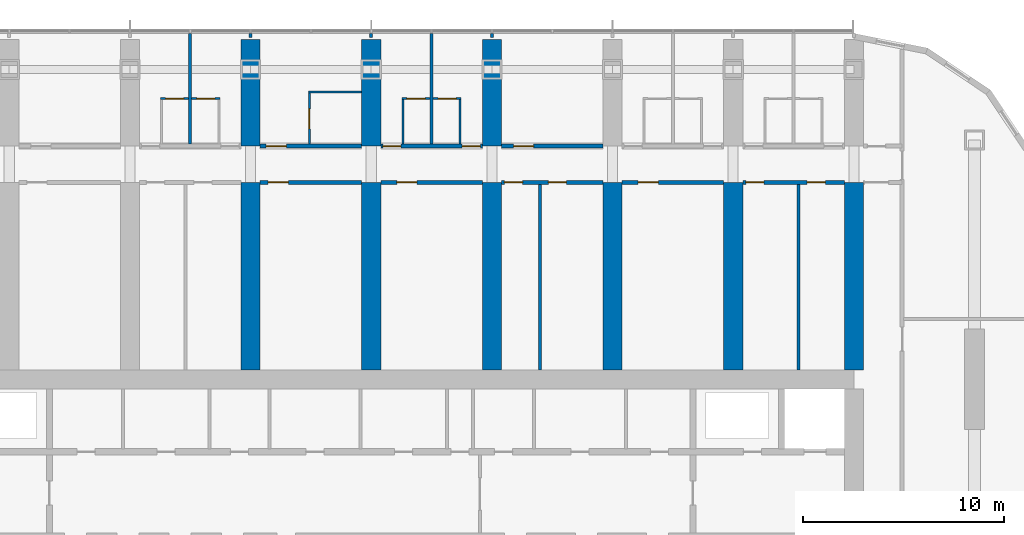
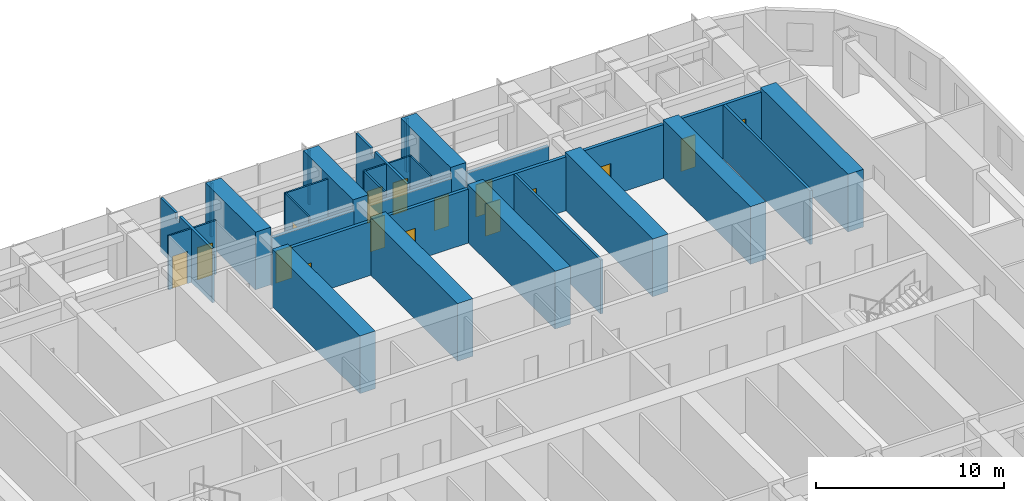
# One storey, part 16 of 25: 32 walls, 16 doors, 16 openings.
"""IFC4 building model written with IfcOpenShell, lengths in metres."""

from ifc_helpers import new_model, si_unit, direction, frame, frame_2d, origin, place, context, subcontext, project, spatial, polyline, rectangle, outline, extrude, material, layer, layer_set, type_object, element, fill, save


model = new_model("IFC4")

# Units and contexts
model_context = context("Model", 3, precision=1e-05, world=origin(), true_north=direction((0.0, 1.0)))
body_context = subcontext(model_context, "Body", "Model", "MODEL_VIEW")
ifc_project = project(units=[si_unit("LENGTHUNIT", "METRE"), si_unit("AREAUNIT", "SQUARE_METRE"), si_unit("VOLUMEUNIT", "CUBIC_METRE"), si_unit("PLANEANGLEUNIT", "RADIAN"), si_unit("MASSUNIT", "GRAM", prefix="KILO")], contexts=[model_context])

# Site, building, storey
site_placement = place(None, origin())
site = spatial("IfcSite", under=ifc_project, at=site_placement, CompositionType="ELEMENT")
building_placement = place(site_placement, origin())
building = spatial("IfcBuilding", under=site, at=building_placement, Name="Orbita Commons", CompositionType="ELEMENT")
storey_placement = place(building_placement, frame((0.0, 0.0, 99.39990234375)))
storey = spatial("IfcBuildingStorey", under=building, at=storey_placement, Name="L24", CompositionType="ELEMENT", Elevation=99.39990234375)

# Wall, opening, door
ifc_material_1 = material(Name="Concrete blockwork", Category="masonry")
ifc_layer_1 = layer(ifc_material_1, 0.199951171875)
ifc_layer_set_1 = layer_set([ifc_layer_1], Name="Concrete blockwork")
wall_type_1 = type_object("IfcWallType", Name="Corridor wall 200 blockwork", PredefinedType="SOLIDWALL", material=ifc_layer_set_1)
wall_1_placement = place(storey_placement, frame((36.47509765625, 49.800048828125, 0.0), z_axis=(0.0, 0.0, 1.0), x_axis=(1.0, 0.0, 0.0)))
wall_1 = element("IfcWall", 1, at=wall_1_placement, inside=storey, type_object=wall_type_1, Name="Corridor wall 200 blockwork L24", PredefinedType="SOLIDWALL", context=body_context, shape_type="SweptSolid", body=[
    extrude(outline(polyline([(0.0, 0.0), (5.0498046875, 0.0), (5.050048828125, 3.10009765625), (0.0, 3.10009765625), (0.0, 0.0)])), frame((0.0, 0.10009765625, 0.0), z_axis=(0.0, -1.0, 0.0), x_axis=(1.0, 0.0, 0.0)), (0.0, 0.0, 1.0), 0.199951171875),
])
opening_1_placement = place(wall_1_placement, frame((0.300048828125, 0.0, 0.0)))
opening_1 = element("IfcOpeningElement", 2, at=opening_1_placement, cuts=wall_1, Name="Opening D06", PredefinedType="OPENING", context=body_context, shape_type="SweptSolid", body=[
    extrude(rectangle(XDim=1.0, YDim=2.10009765625, at=frame_2d((0.5, 1.050048828125))), frame((0.0, 0.10986328125, 0.0), z_axis=(0.0, -1.0, 0.0), x_axis=(1.0, 0.0, 0.0)), (0.0, 0.0, 1.0), 0.219970703125),
])
ifc_material_2 = material(Name="Steel-faced fire door leaf", Category="steel")
door_type_1 = type_object("IfcDoorType", Name="Corridor door 20 min 1000x2100", OperationType="SINGLE_SWING_LEFT", PredefinedType="DOOR", material=ifc_material_2)
door_1_placement = place(opening_1_placement, origin())
door_1 = element("IfcDoor", 3, at=door_1_placement, inside=storey, type_object=door_type_1, Name="Accessible bedroom L24-N08 door", OperationType="SINGLE_SWING_LEFT", OverallHeight=2.10009765625, OverallWidth=1.0, PredefinedType="DOOR", context=body_context, shape_type="SweptSolid", body=[
    extrude(rectangle(XDim=1.0, YDim=2.10009765625, at=frame_2d((0.5, 1.050048828125))), frame((0.0, 0.02490234375, 0.0), z_axis=(0.0, -1.0, 0.0), x_axis=(1.0, 0.0, 0.0)), (0.0, 0.0, 1.0), 0.050048828125),
])
fill(opening_1, door_1)

# Wall, openings, doors
wall_2_placement = place(storey_placement, frame((42.47509765625, 49.800048828125, 0.0), z_axis=(0.0, 0.0, 1.0), x_axis=(1.0, 0.0, 0.0)))
wall_2 = element("IfcWall", 4, at=wall_2_placement, inside=storey, type_object=wall_type_1, Name="Corridor wall 200 blockwork L24", PredefinedType="SOLIDWALL", context=body_context, shape_type="SweptSolid", body=[
    extrude(outline(polyline([(0.0, 0.0), (5.0498046875, 0.0), (5.050048828125, 3.10009765625), (0.0, 3.10009765625), (0.0, 0.0)])), frame((0.0, 0.10009765625, 0.0), z_axis=(0.0, -1.0, 0.0), x_axis=(1.0, 0.0, 0.0)), (0.0, 0.0, 1.0), 0.199951171875),
])
opening_2_placement = place(wall_2_placement, frame((0.10009765625, 0.0, 0.0)))
opening_2 = element("IfcOpeningElement", 5, at=opening_2_placement, cuts=wall_2, Name="Opening D11", PredefinedType="OPENING", context=body_context, shape_type="SweptSolid", body=[
    extrude(rectangle(XDim=0.89990234375, YDim=2.10009765625, at=frame_2d((0.449951171875, 1.050048828125))), frame((0.0, 0.10986328125, 0.0), z_axis=(0.0, -1.0, 0.0), x_axis=(1.0, 0.0, 0.0)), (0.0, 0.0, 1.0), 0.219970703125),
])
opening_3_placement = place(wall_2_placement, frame((4.050048828125, 0.0, 0.0)))
opening_3 = element("IfcOpeningElement", 6, at=opening_3_placement, cuts=wall_2, Name="Opening D11", PredefinedType="OPENING", context=body_context, shape_type="SweptSolid", body=[
    extrude(rectangle(XDim=0.89990234375, YDim=2.10009765625, at=frame_2d((0.449951171875, 1.050048828125))), frame((0.0, 0.10986328125, 0.0), z_axis=(0.0, -1.0, 0.0), x_axis=(1.0, 0.0, 0.0)), (0.0, 0.0, 1.0), 0.219970703125),
])
ifc_material_3 = material(Name="Steel-faced fire door leaf", Category="steel")
door_type_2 = type_object("IfcDoorType", Name="Corridor door 20 min 900x2100", OperationType="SINGLE_SWING_LEFT", PredefinedType="DOOR", material=ifc_material_3)
door_2_placement = place(opening_2_placement, origin())
door_2 = element("IfcDoor", 7, at=door_2_placement, inside=storey, type_object=door_type_2, Name="Cluster bedroom L24-N10 door", OperationType="SINGLE_SWING_LEFT", OverallHeight=2.10009765625, OverallWidth=0.89990234375, PredefinedType="DOOR", context=body_context, shape_type="SweptSolid", body=[
    extrude(rectangle(XDim=0.89990234375, YDim=2.10009765625, at=frame_2d((0.449951171875, 1.050048828125))), frame((0.0, 0.02490234375, 0.0), z_axis=(0.0, -1.0, 0.0), x_axis=(1.0, 0.0, 0.0)), (0.0, 0.0, 1.0), 0.050048828125),
])
fill(opening_2, door_2)
door_3_placement = place(opening_3_placement, origin())
door_3 = element("IfcDoor", 8, at=door_3_placement, inside=storey, type_object=door_type_2, Name="Cluster bedroom L24-N11 door", OperationType="SINGLE_SWING_LEFT", OverallHeight=2.10009765625, OverallWidth=0.89990234375, PredefinedType="DOOR", context=body_context, shape_type="SweptSolid", body=[
    extrude(rectangle(XDim=0.89990234375, YDim=2.10009765625, at=frame_2d((0.449951171875, 1.050048828125))), frame((0.0, 0.02490234375, 0.0), z_axis=(0.0, -1.0, 0.0), x_axis=(1.0, 0.0, 0.0)), (0.0, 0.0, 1.0), 0.050048828125),
])
fill(opening_3, door_3)

# Wall, opening, door
wall_3_placement = place(storey_placement, frame((48.47509765625, 49.800048828125, 0.0), z_axis=(0.0, 0.0, 1.0), x_axis=(1.0, 0.0, 0.0)))
wall_3 = element("IfcWall", 9, at=wall_3_placement, inside=storey, type_object=wall_type_1, Name="Corridor wall 200 blockwork L24", PredefinedType="SOLIDWALL", context=body_context, shape_type="SweptSolid", body=[
    extrude(outline(polyline([(0.0, 0.0), (5.0498046875, 0.0), (5.050048828125, 3.10009765625), (0.0, 3.10009765625), (0.0, 0.0)])), frame((0.0, 0.10009765625, 0.0), z_axis=(0.0, -1.0, 0.0), x_axis=(1.0, 0.0, 0.0)), (0.0, 0.0, 1.0), 0.199951171875),
])
opening_4_placement = place(wall_3_placement, frame((0.60009765625, 0.0, 0.0)))
opening_4 = element("IfcOpeningElement", 10, at=opening_4_placement, cuts=wall_3, Name="Opening D06", PredefinedType="OPENING", context=body_context, shape_type="SweptSolid", body=[
    extrude(rectangle(XDim=1.0, YDim=2.10009765625, at=frame_2d((0.5, 1.050048828125))), frame((0.0, 0.10986328125, 0.0), z_axis=(0.0, -1.0, 0.0), x_axis=(1.0, 0.0, 0.0)), (0.0, 0.0, 1.0), 0.219970703125),
])
door_4_placement = place(opening_4_placement, origin())
door_4 = element("IfcDoor", 11, at=door_4_placement, inside=storey, type_object=door_type_1, Name="Cluster kitchen-diner L24-N12 door", OperationType="SINGLE_SWING_LEFT", OverallHeight=2.10009765625, OverallWidth=1.0, PredefinedType="DOOR", context=body_context, shape_type="SweptSolid", body=[
    extrude(rectangle(XDim=1.0, YDim=2.10009765625, at=frame_2d((0.5, 1.050048828125))), frame((0.0, 0.02490234375, 0.0), z_axis=(0.0, -1.0, 0.0), x_axis=(1.0, 0.0, 0.0)), (0.0, 0.0, 1.0), 0.050048828125),
])
fill(opening_4, door_4)

ifc_material_4 = material(Name="Hollow concrete block 200", Category="concrete")
ifc_layer_2 = layer(ifc_material_4, 0.199951171875)
ifc_layer_set_2 = layer_set([ifc_layer_2], Name="Hollow concrete block 200")
wall_type_2 = type_object("IfcWallType", Name="Corridor wall 200 hollow concrete block", PredefinedType="SOLIDWALL", material=ifc_layer_set_2)
wall_4_placement = place(storey_placement, frame((36.47509765625, 48.0, 0.0), z_axis=(0.0, 0.0, 1.0), x_axis=(1.0, 0.0, 0.0)))
wall_4 = element("IfcWall", 12, at=wall_4_placement, inside=storey, type_object=wall_type_2, Name="Corridor wall 200 hollow concrete block L24", PredefinedType="SOLIDWALL", context=body_context, shape_type="SweptSolid", body=[
    extrude(rectangle(XDim=5.0498046875, YDim=0.199951171875, at=frame_2d((2.52490234375, 0.0))), origin(), (0.0, 0.0, 1.0), 3.5),
])
opening_5_placement = place(wall_4_placement, frame((0.39990234375, 0.0, 0.0)))
opening_5 = element("IfcOpeningElement", 13, at=opening_5_placement, cuts=wall_4, Name="Opening D06", PredefinedType="OPENING", context=body_context, shape_type="SweptSolid", body=[
    extrude(rectangle(XDim=1.0, YDim=2.10009765625, at=frame_2d((0.5, 1.050048828125))), frame((0.0, 0.10986328125, 0.0), z_axis=(0.0, -1.0, 0.0), x_axis=(1.0, 0.0, 0.0)), (0.0, 0.0, 1.0), 0.219970703125),
])
door_5_placement = place(opening_5_placement, origin())
door_5 = element("IfcDoor", 14, at=door_5_placement, inside=storey, type_object=door_type_1, Name="Refuse and recycling room L24-BDN36 door", OperationType="SINGLE_SWING_LEFT", OverallHeight=2.10009765625, OverallWidth=1.0, PredefinedType="DOOR", context=body_context, shape_type="SweptSolid", body=[
    extrude(rectangle(XDim=1.0, YDim=2.10009765625, at=frame_2d((0.5, 1.050048828125))), frame((0.0, 0.02490234375, 0.0), z_axis=(0.0, -1.0, 0.0), x_axis=(1.0, 0.0, 0.0)), (0.0, 0.0, 1.0), 0.050048828125),
])
fill(opening_5, door_5)

wall_5_placement = place(storey_placement, frame((42.47509765625, 48.0, 0.0), z_axis=(0.0, 0.0, 1.0), x_axis=(1.0, 0.0, 0.0)))
wall_5 = element("IfcWall", 15, at=wall_5_placement, inside=storey, type_object=wall_type_2, Name="Corridor wall 200 hollow concrete block L24", PredefinedType="SOLIDWALL", context=body_context, shape_type="SweptSolid", body=[
    extrude(rectangle(XDim=5.0498046875, YDim=0.199951171875, at=frame_2d((2.52490234375, 0.0))), origin(), (0.0, 0.0, 1.0), 3.5),
])
opening_6_placement = place(wall_5_placement, frame((0.800048828125, 0.0, 0.0)))
opening_6 = element("IfcOpeningElement", 16, at=opening_6_placement, cuts=wall_5, Name="Opening D06", PredefinedType="OPENING", context=body_context, shape_type="SweptSolid", body=[
    extrude(rectangle(XDim=1.0, YDim=2.10009765625, at=frame_2d((0.5, 1.050048828125))), frame((0.0, 0.10986328125, 0.0), z_axis=(0.0, -1.0, 0.0), x_axis=(1.0, 0.0, 0.0)), (0.0, 0.0, 1.0), 0.219970703125),
])
door_6_placement = place(opening_6_placement, origin())
door_6 = element("IfcDoor", 17, at=door_6_placement, inside=storey, type_object=door_type_1, Name="Cleaners store L24-BDN42 door", OperationType="SINGLE_SWING_LEFT", OverallHeight=2.10009765625, OverallWidth=1.0, PredefinedType="DOOR", context=body_context, shape_type="SweptSolid", body=[
    extrude(rectangle(XDim=1.0, YDim=2.10009765625, at=frame_2d((0.5, 1.050048828125))), frame((0.0, 0.02490234375, 0.0), z_axis=(0.0, -1.0, 0.0), x_axis=(1.0, 0.0, 0.0)), (0.0, 0.0, 1.0), 0.050048828125),
])
fill(opening_6, door_6)

# Wall, openings, doors
wall_6_placement = place(storey_placement, frame((48.47509765625, 48.0, 0.0), z_axis=(0.0, 0.0, 1.0), x_axis=(1.0, 0.0, 0.0)))
wall_6 = element("IfcWall", 18, at=wall_6_placement, inside=storey, type_object=wall_type_2, Name="Corridor wall 200 hollow concrete block L24", PredefinedType="SOLIDWALL", context=body_context, shape_type="SweptSolid", body=[
    extrude(rectangle(XDim=5.0498046875, YDim=0.199951171875, at=frame_2d((2.52490234375, 0.0))), origin(), (0.0, 0.0, 1.0), 3.5),
])
opening_7_placement = place(wall_6_placement, frame((0.14990234375, 0.0, 0.0)))
opening_7 = element("IfcOpeningElement", 19, at=opening_7_placement, cuts=wall_6, Name="Opening D11", PredefinedType="OPENING", context=body_context, shape_type="SweptSolid", body=[
    extrude(rectangle(XDim=0.89990234375, YDim=2.10009765625, at=frame_2d((0.449951171875, 1.050048828125))), frame((0.0, 0.10986328125, 0.0), z_axis=(0.0, -1.0, 0.0), x_axis=(1.0, 0.0, 0.0)), (0.0, 0.0, 1.0), 0.219970703125),
])
opening_8_placement = place(wall_6_placement, frame((2.3349609375, 0.0, 0.0)))
opening_8 = element("IfcOpeningElement", 20, at=opening_8_placement, cuts=wall_6, Name="Opening D11", PredefinedType="OPENING", context=body_context, shape_type="SweptSolid", body=[
    extrude(rectangle(XDim=0.89990234375, YDim=2.10009765625, at=frame_2d((0.449951171875, 1.050048828125))), frame((0.0, 0.10986328125, 0.0), z_axis=(0.0, -1.0, 0.0), x_axis=(1.0, 0.0, 0.0)), (0.0, 0.0, 1.0), 0.219970703125),
])
door_7_placement = place(opening_7_placement, origin())
door_7 = element("IfcDoor", 21, at=door_7_placement, inside=storey, type_object=door_type_2, Name="Battery and UPS room L24-BDN48n door", OperationType="SINGLE_SWING_LEFT", OverallHeight=2.10009765625, OverallWidth=0.89990234375, PredefinedType="DOOR", context=body_context, shape_type="SweptSolid", body=[
    extrude(rectangle(XDim=0.89990234375, YDim=2.10009765625, at=frame_2d((0.449951171875, 1.050048828125))), frame((0.0, 0.02490234375, 0.0), z_axis=(0.0, -1.0, 0.0), x_axis=(1.0, 0.0, 0.0)), (0.0, 0.0, 1.0), 0.050048828125),
])
fill(opening_7, door_7)
door_8_placement = place(opening_8_placement, origin())
door_8 = element("IfcDoor", 22, at=door_8_placement, inside=storey, type_object=door_type_2, Name="Linen store L24-BDN48 door", OperationType="SINGLE_SWING_LEFT", OverallHeight=2.10009765625, OverallWidth=0.89990234375, PredefinedType="DOOR", context=body_context, shape_type="SweptSolid", body=[
    extrude(rectangle(XDim=0.89990234375, YDim=2.10009765625, at=frame_2d((0.449951171875, 1.050048828125))), frame((0.0, 0.02490234375, 0.0), z_axis=(0.0, -1.0, 0.0), x_axis=(1.0, 0.0, 0.0)), (0.0, 0.0, 1.0), 0.050048828125),
])
fill(opening_8, door_8)

# Wall, opening, door
wall_7_placement = place(storey_placement, frame((54.47509765625, 48.0, 0.0), z_axis=(0.0, 0.0, 1.0), x_axis=(1.0, 0.0, 0.0)))
wall_7 = element("IfcWall", 23, at=wall_7_placement, inside=storey, type_object=wall_type_2, Name="Corridor wall 200 hollow concrete block L24", PredefinedType="SOLIDWALL", context=body_context, shape_type="SweptSolid", body=[
    extrude(rectangle(XDim=5.0498046875, YDim=0.199951171875, at=frame_2d((2.52490234375, 0.0))), origin(), (0.0, 0.0, 1.0), 3.5),
])
opening_9_placement = place(wall_7_placement, frame((0.800048828125, 0.0, 0.0)))
opening_9 = element("IfcOpeningElement", 24, at=opening_9_placement, cuts=wall_7, Name="Opening D06", PredefinedType="OPENING", context=body_context, shape_type="SweptSolid", body=[
    extrude(rectangle(XDim=1.0, YDim=2.10009765625, at=frame_2d((0.5, 1.050048828125))), frame((0.0, 0.10986328125, 0.0), z_axis=(0.0, -1.0, 0.0), x_axis=(1.0, 0.0, 0.0)), (0.0, 0.0, 1.0), 0.219970703125),
])
door_9_placement = place(opening_9_placement, origin())
door_9 = element("IfcDoor", 25, at=door_9_placement, inside=storey, type_object=door_type_1, Name="Store L24-BDN54 door", OperationType="SINGLE_SWING_LEFT", OverallHeight=2.10009765625, OverallWidth=1.0, PredefinedType="DOOR", context=body_context, shape_type="SweptSolid", body=[
    extrude(rectangle(XDim=1.0, YDim=2.10009765625, at=frame_2d((0.5, 1.050048828125))), frame((0.0, 0.02490234375, 0.0), z_axis=(0.0, -1.0, 0.0), x_axis=(1.0, 0.0, 0.0)), (0.0, 0.0, 1.0), 0.050048828125),
])
fill(opening_9, door_9)

# Wall, openings, doors
wall_8_placement = place(storey_placement, frame((60.47509765625, 48.0, 0.0), z_axis=(0.0, 0.0, 1.0), x_axis=(1.0, 0.0, 0.0)))
wall_8 = element("IfcWall", 26, at=wall_8_placement, inside=storey, type_object=wall_type_2, Name="Corridor wall 200 hollow concrete block L24", PredefinedType="SOLIDWALL", context=body_context, shape_type="SweptSolid", body=[
    extrude(rectangle(XDim=5.0498046875, YDim=0.199951171875, at=frame_2d((2.52490234375, 0.0))), origin(), (0.0, 0.0, 1.0), 3.5),
])
opening_10_placement = place(wall_8_placement, frame((0.14990234375, 0.0, 0.0)))
opening_10 = element("IfcOpeningElement", 27, at=opening_10_placement, cuts=wall_8, Name="Opening D11", PredefinedType="OPENING", context=body_context, shape_type="SweptSolid", body=[
    extrude(rectangle(XDim=0.89990234375, YDim=2.10009765625, at=frame_2d((0.449951171875, 1.050048828125))), frame((0.0, 0.10986328125, 0.0), z_axis=(0.0, -1.0, 0.0), x_axis=(1.0, 0.0, 0.0)), (0.0, 0.0, 1.0), 0.219970703125),
])
opening_11_placement = place(wall_8_placement, frame((3.205078125, 0.0, 0.0)))
opening_11 = element("IfcOpeningElement", 28, at=opening_11_placement, cuts=wall_8, Name="Opening D11", PredefinedType="OPENING", context=body_context, shape_type="SweptSolid", body=[
    extrude(rectangle(XDim=0.89990234375, YDim=2.10009765625, at=frame_2d((0.449951171875, 1.050048828125))), frame((0.0, 0.10986328125, 0.0), z_axis=(0.0, -1.0, 0.0), x_axis=(1.0, 0.0, 0.0)), (0.0, 0.0, 1.0), 0.219970703125),
])
door_10_placement = place(opening_10_placement, origin())
door_10 = element("IfcDoor", 29, at=door_10_placement, inside=storey, type_object=door_type_2, Name="Pantry L24-BDN60 door", OperationType="SINGLE_SWING_LEFT", OverallHeight=2.10009765625, OverallWidth=0.89990234375, PredefinedType="DOOR", context=body_context, shape_type="SweptSolid", body=[
    extrude(rectangle(XDim=0.89990234375, YDim=2.10009765625, at=frame_2d((0.449951171875, 1.050048828125))), frame((0.0, 0.02490234375, 0.0), z_axis=(0.0, -1.0, 0.0), x_axis=(1.0, 0.0, 0.0)), (0.0, 0.0, 1.0), 0.050048828125),
])
fill(opening_10, door_10)
door_11_placement = place(opening_11_placement, origin())
door_11 = element("IfcDoor", 30, at=door_11_placement, inside=storey, type_object=door_type_2, Name="Sprinkler valve room L24-BDN60n door", OperationType="SINGLE_SWING_LEFT", OverallHeight=2.10009765625, OverallWidth=0.89990234375, PredefinedType="DOOR", context=body_context, shape_type="SweptSolid", body=[
    extrude(rectangle(XDim=0.89990234375, YDim=2.10009765625, at=frame_2d((0.449951171875, 1.050048828125))), frame((0.0, 0.02490234375, 0.0), z_axis=(0.0, -1.0, 0.0), x_axis=(1.0, 0.0, 0.0)), (0.0, 0.0, 1.0), 0.050048828125),
])
fill(opening_11, door_11)

# Walls
ifc_material_5 = material(Name="Concrete C50/60", Category="concrete")
ifc_layer_3 = layer(ifc_material_5, 0.949951171875)
ifc_layer_set_3 = layer_set([ifc_layer_3], Name="Concrete C50/60")
wall_type_3 = type_object("IfcWallType", Name="Cross wall 950 C50/60", PredefinedType="SHEAR", material=ifc_layer_set_3)
wall_9_placement = place(storey_placement, frame((36.0, 49.800048828125, 0.0), z_axis=(0.0, 0.0, 1.0), x_axis=(0.0, 1.0, 0.0)))
element("IfcWall", 31, at=wall_9_placement, inside=storey, type_object=wall_type_3, Name="Cross wall 7 north outer L24", PredefinedType="SHEAR", context=body_context, shape_type="SweptSolid", body=[
    extrude(rectangle(XDim=5.300048828125, YDim=0.949951171875, at=frame_2d((2.64990234375, 0.0))), origin(), (0.0, 0.0, 1.0), 3.75),
])
wall_10_placement = place(storey_placement, frame((36.0, 38.675048828125, 0.0), z_axis=(0.0, 0.0, 1.0), x_axis=(0.0, 1.0, 0.0)))
element("IfcWall", 32, at=wall_10_placement, inside=storey, type_object=wall_type_3, Name="Cross wall 7 north inner L24", PredefinedType="SHEAR", context=body_context, shape_type="SweptSolid", body=[
    extrude(rectangle(XDim=9.324951171875, YDim=0.949951171875, at=frame_2d((4.66259765625, 0.0))), origin(), (0.0, 0.0, 1.0), 3.75),
])
wall_11_placement = place(storey_placement, frame((42.0, 49.800048828125, 0.0), z_axis=(0.0, 0.0, 1.0), x_axis=(0.0, 1.0, 0.0)))
element("IfcWall", 33, at=wall_11_placement, inside=storey, type_object=wall_type_3, Name="Cross wall 8 north outer L24", PredefinedType="SHEAR", context=body_context, shape_type="SweptSolid", body=[
    extrude(rectangle(XDim=5.300048828125, YDim=0.949951171875, at=frame_2d((2.64990234375, 0.0))), origin(), (0.0, 0.0, 1.0), 3.75),
])
wall_12_placement = place(storey_placement, frame((42.0, 38.675048828125, 0.0), z_axis=(0.0, 0.0, 1.0), x_axis=(0.0, 1.0, 0.0)))
element("IfcWall", 34, at=wall_12_placement, inside=storey, type_object=wall_type_3, Name="Cross wall 8 north inner L24", PredefinedType="SHEAR", context=body_context, shape_type="SweptSolid", body=[
    extrude(rectangle(XDim=9.324951171875, YDim=0.949951171875, at=frame_2d((4.66259765625, 0.0))), origin(), (0.0, 0.0, 1.0), 3.75),
])
wall_13_placement = place(storey_placement, frame((48.0, 49.800048828125, 0.0), z_axis=(0.0, 0.0, 1.0), x_axis=(0.0, 1.0, 0.0)))
element("IfcWall", 35, at=wall_13_placement, inside=storey, type_object=wall_type_3, Name="Cross wall 9 north outer L24", PredefinedType="SHEAR", context=body_context, shape_type="SweptSolid", body=[
    extrude(rectangle(XDim=5.300048828125, YDim=0.949951171875, at=frame_2d((2.64990234375, 0.0))), origin(), (0.0, 0.0, 1.0), 3.75),
])
for number, where, z_axis, x_axis, name in (
    (36, (48.0, 38.675048828125, 0.0), (0.0, 0.0, 1.0), (0.0, 1.0, 0.0), "Cross wall 9 north inner L24"),
    (37, (54.0, 38.675048828125, 0.0), (0.0, 0.0, 1.0), (0.0, 1.0, 0.0), "Cross wall 10 north inner L24"),
    (38, (60.0, 38.675048828125, 0.0), (0.0, 0.0, 1.0), (0.0, 1.0, 0.0), "Cross wall 11 north inner L24"),
    (39, (66.0, 38.675048828125, 0.0), (0.0, 0.0, 1.0), (0.0, 1.0, 0.0), "Cross wall 12 north inner L24"),
):
    element("IfcWall", number, at=place(storey_placement, frame(where, z_axis=z_axis, x_axis=x_axis)), inside=storey, type_object=wall_type_3, Name=name, PredefinedType="SHEAR", context=body_context, shape_type="SweptSolid", body=[
        extrude(rectangle(XDim=9.324951171875, YDim=0.949951171875, at=frame_2d((4.66259765625, 0.0))), origin(), (0.0, 0.0, 1.0), 3.75),
    ])

# Wall, opening, door
ifc_material_6 = material(Name="Moisture-resistant plasterboard on steel studs", Category="steel")
ifc_layer_4 = layer(ifc_material_6, 0.10009765625)
ifc_layer_set_4 = layer_set([ifc_layer_4], Name="Moisture-resistant plasterboard on steel studs")
wall_type_4 = type_object("IfcWallType", Name="En-suite partition 100", PredefinedType="PARTITIONING", material=ifc_layer_set_4)
wall_14_placement = place(storey_placement, frame((31.52490234375, 52.1591796875, 0.0), z_axis=(0.0, 0.0, 1.0), x_axis=(1.0, 0.0, 0.0)))
wall_14 = element("IfcWall", 40, at=wall_14_placement, inside=storey, type_object=wall_type_4, Name="En-suite partition 100 L24", PredefinedType="PARTITIONING", context=body_context, shape_type="SweptSolid", body=[
    extrude(rectangle(XDim=1.400146484375, YDim=0.10009765625, at=frame_2d((0.7001953125, 0.0))), origin(), (0.0, 0.0, 1.0), 3.5),
])
opening_12_placement = place(wall_14_placement, frame((0.25, 0.0, 0.0)))
opening_12 = element("IfcOpeningElement", 41, at=opening_12_placement, cuts=wall_14, Name="Opening D09", PredefinedType="OPENING", context=body_context, shape_type="SweptSolid", body=[
    extrude(rectangle(XDim=0.89990234375, YDim=2.10009765625, at=frame_2d((0.449951171875, 1.050048828125))), frame((0.0, 0.06005859375, 0.0), z_axis=(0.0, -1.0, 0.0), x_axis=(1.0, 0.0, 0.0)), (0.0, 0.0, 1.0), 0.1201171875),
])
ifc_material_7 = material(Name="Laminated timber door leaf", Category="wood")
door_type_3 = type_object("IfcDoorType", Name="En-suite door 900x2100", OperationType="SINGLE_SWING_RIGHT", PredefinedType="DOOR", material=ifc_material_7)
door_12_placement = place(opening_12_placement, origin())
door_12 = element("IfcDoor", 42, at=door_12_placement, inside=storey, type_object=door_type_3, Name="En-suite L24-N06 door", OperationType="SINGLE_SWING_RIGHT", OverallHeight=2.10009765625, OverallWidth=0.89990234375, PredefinedType="DOOR", context=body_context, shape_type="SweptSolid", body=[
    extrude(rectangle(XDim=0.89990234375, YDim=2.10009765625, at=frame_2d((0.449951171875, 1.050048828125))), frame((0.0, 0.02490234375, 0.0), z_axis=(0.0, -1.0, 0.0), x_axis=(1.0, 0.0, 0.0)), (0.0, 0.0, 1.0), 0.050048828125),
])
fill(opening_12, door_12)

wall_15_placement = place(storey_placement, frame((33.074951171875, 52.1591796875, 0.0), z_axis=(0.0, 0.0, 1.0), x_axis=(1.0, 0.0, 0.0)))
wall_15 = element("IfcWall", 43, at=wall_15_placement, inside=storey, type_object=wall_type_4, Name="En-suite partition 100 L24", PredefinedType="PARTITIONING", context=body_context, shape_type="SweptSolid", body=[
    extrude(rectangle(XDim=1.400146484375, YDim=0.10009765625, at=frame_2d((0.7001953125, 0.0))), origin(), (0.0, 0.0, 1.0), 3.5),
])
opening_13_placement = place(wall_15_placement, frame((0.25, 0.0, 0.0)))
opening_13 = element("IfcOpeningElement", 44, at=opening_13_placement, cuts=wall_15, Name="Opening D09", PredefinedType="OPENING", context=body_context, shape_type="SweptSolid", body=[
    extrude(rectangle(XDim=0.89990234375, YDim=2.10009765625, at=frame_2d((0.449951171875, 1.050048828125))), frame((0.0, 0.06005859375, 0.0), z_axis=(0.0, -1.0, 0.0), x_axis=(1.0, 0.0, 0.0)), (0.0, 0.0, 1.0), 0.1201171875),
])
door_13_placement = place(opening_13_placement, origin())
door_13 = element("IfcDoor", 45, at=door_13_placement, inside=storey, type_object=door_type_3, Name="En-suite L24-N07 door", OperationType="SINGLE_SWING_RIGHT", OverallHeight=2.10009765625, OverallWidth=0.89990234375, PredefinedType="DOOR", context=body_context, shape_type="SweptSolid", body=[
    extrude(rectangle(XDim=0.89990234375, YDim=2.10009765625, at=frame_2d((0.449951171875, 1.050048828125))), frame((0.0, 0.02490234375, 0.0), z_axis=(0.0, -1.0, 0.0), x_axis=(1.0, 0.0, 0.0)), (0.0, 0.0, 1.0), 0.050048828125),
])
fill(opening_13, door_13)

# Wall
wall_16_placement = place(storey_placement, frame((38.875, 52.5, 0.0), z_axis=(0.0, 0.0, 1.0), x_axis=(1.0, 0.0, 0.0)))
element("IfcWall", 46, at=wall_16_placement, inside=storey, type_object=wall_type_4, Name="En-suite partition 100 L24", PredefinedType="PARTITIONING", context=body_context, shape_type="SweptSolid", body=[
    extrude(rectangle(XDim=2.64990234375, YDim=0.10009765625, at=frame_2d((1.324951171875, 0.0))), origin(), (0.0, 0.0, 1.0), 3.5),
])

# Wall, opening, door
wall_17_placement = place(storey_placement, frame((38.925048828125, 52.449951171875, 0.0), z_axis=(0.0, 0.0, 1.0), x_axis=(0.0, -1.0, 0.0)))
wall_17 = element("IfcWall", 47, at=wall_17_placement, inside=storey, type_object=wall_type_4, Name="En-suite partition 100 L24", PredefinedType="PARTITIONING", context=body_context, shape_type="SweptSolid", body=[
    extrude(outline(polyline([(0.0, 0.0), (2.550048828125, 0.0), (2.550048828125, 3.10009765625), (2.501953125, 3.10009765625), (2.5, 3.5), (0.0, 3.5), (0.0, 0.0)])), frame((0.0, 0.050048828125, 0.0), z_axis=(0.0, -1.0, 0.0), x_axis=(1.0, 0.0, 0.0)), (0.0, 0.0, 1.0), 0.10009765625),
])
opening_14_placement = place(wall_17_placement, frame((0.800048828125, 0.0, 0.0)))
opening_14 = element("IfcOpeningElement", 48, at=opening_14_placement, cuts=wall_17, Name="Opening D13", PredefinedType="OPENING", context=body_context, shape_type="SweptSolid", body=[
    extrude(rectangle(XDim=1.0, YDim=2.10009765625, at=frame_2d((0.5, 1.050048828125))), frame((0.0, 0.06005859375, 0.0), z_axis=(0.0, -1.0, 0.0), x_axis=(1.0, 0.0, 0.0)), (0.0, 0.0, 1.0), 0.1201171875),
])
ifc_material_8 = material(Name="Laminated timber door leaf", Category="wood")
door_type_4 = type_object("IfcDoorType", Name="En-suite door 1000x2100", OperationType="SINGLE_SWING_RIGHT", PredefinedType="DOOR", material=ifc_material_8)
door_14_placement = place(opening_14_placement, origin())
door_14 = element("IfcDoor", 49, at=door_14_placement, inside=storey, type_object=door_type_4, Name="Accessible shower room L24-N08 door", OperationType="SINGLE_SWING_RIGHT", OverallHeight=2.10009765625, OverallWidth=1.0, PredefinedType="DOOR", context=body_context, shape_type="SweptSolid", body=[
    extrude(rectangle(XDim=1.0, YDim=2.10009765625, at=frame_2d((0.5, 1.050048828125))), frame((0.0, 0.02490234375, 0.0), z_axis=(0.0, -1.0, 0.0), x_axis=(1.0, 0.0, 0.0)), (0.0, 0.0, 1.0), 0.050048828125),
])
fill(opening_14, door_14)

wall_18_placement = place(storey_placement, frame((43.52490234375, 52.1591796875, 0.0), z_axis=(0.0, 0.0, 1.0), x_axis=(1.0, 0.0, 0.0)))
wall_18 = element("IfcWall", 50, at=wall_18_placement, inside=storey, type_object=wall_type_4, Name="En-suite partition 100 L24", PredefinedType="PARTITIONING", context=body_context, shape_type="SweptSolid", body=[
    extrude(rectangle(XDim=1.400146484375, YDim=0.10009765625, at=frame_2d((0.7001953125, 0.0))), origin(), (0.0, 0.0, 1.0), 3.5),
])
opening_15_placement = place(wall_18_placement, frame((0.25, 0.0, 0.0)))
opening_15 = element("IfcOpeningElement", 51, at=opening_15_placement, cuts=wall_18, Name="Opening D09", PredefinedType="OPENING", context=body_context, shape_type="SweptSolid", body=[
    extrude(rectangle(XDim=0.89990234375, YDim=2.10009765625, at=frame_2d((0.449951171875, 1.050048828125))), frame((0.0, 0.06005859375, 0.0), z_axis=(0.0, -1.0, 0.0), x_axis=(1.0, 0.0, 0.0)), (0.0, 0.0, 1.0), 0.1201171875),
])
door_15_placement = place(opening_15_placement, origin())
door_15 = element("IfcDoor", 52, at=door_15_placement, inside=storey, type_object=door_type_3, Name="En-suite L24-N10 door", OperationType="SINGLE_SWING_RIGHT", OverallHeight=2.10009765625, OverallWidth=0.89990234375, PredefinedType="DOOR", context=body_context, shape_type="SweptSolid", body=[
    extrude(rectangle(XDim=0.89990234375, YDim=2.10009765625, at=frame_2d((0.449951171875, 1.050048828125))), frame((0.0, 0.02490234375, 0.0), z_axis=(0.0, -1.0, 0.0), x_axis=(1.0, 0.0, 0.0)), (0.0, 0.0, 1.0), 0.050048828125),
])
fill(opening_15, door_15)

# Wall
wall_19_placement = place(storey_placement, frame((43.574951171875, 52.109375, 0.0), z_axis=(0.0, 0.0, 1.0), x_axis=(0.0, -1.0, 0.0)))
element("IfcWall", 53, at=wall_19_placement, inside=storey, type_object=wall_type_4, Name="En-suite partition 100 L24", PredefinedType="PARTITIONING", context=body_context, shape_type="SweptSolid", body=[
    extrude(outline(polyline([(0.0, 0.0), (2.20947265625, 0.0), (2.209228515625, 3.10009765625), (2.161376953125, 3.10009765625), (2.1591796875, 3.5), (0.0, 3.5), (0.0, 0.0)])), frame((0.0, 0.050048828125, 0.0), z_axis=(0.0, -1.0, 0.0), x_axis=(1.0, 0.0, 0.0)), (0.0, 0.0, 1.0), 0.10009765625),
])

# Wall, opening, door
wall_20_placement = place(storey_placement, frame((45.074951171875, 52.1591796875, 0.0), z_axis=(0.0, 0.0, 1.0), x_axis=(1.0, 0.0, 0.0)))
wall_20 = element("IfcWall", 54, at=wall_20_placement, inside=storey, type_object=wall_type_4, Name="En-suite partition 100 L24", PredefinedType="PARTITIONING", context=body_context, shape_type="SweptSolid", body=[
    extrude(rectangle(XDim=1.400146484375, YDim=0.10009765625, at=frame_2d((0.7001953125, 0.0))), origin(), (0.0, 0.0, 1.0), 3.5),
])
opening_16_placement = place(wall_20_placement, frame((0.25, 0.0, 0.0)))
opening_16 = element("IfcOpeningElement", 55, at=opening_16_placement, cuts=wall_20, Name="Opening D09", PredefinedType="OPENING", context=body_context, shape_type="SweptSolid", body=[
    extrude(rectangle(XDim=0.89990234375, YDim=2.10009765625, at=frame_2d((0.449951171875, 1.050048828125))), frame((0.0, 0.06005859375, 0.0), z_axis=(0.0, -1.0, 0.0), x_axis=(1.0, 0.0, 0.0)), (0.0, 0.0, 1.0), 0.1201171875),
])
door_16_placement = place(opening_16_placement, origin())
door_16 = element("IfcDoor", 56, at=door_16_placement, inside=storey, type_object=door_type_3, Name="En-suite L24-N11 door", OperationType="SINGLE_SWING_RIGHT", OverallHeight=2.10009765625, OverallWidth=0.89990234375, PredefinedType="DOOR", context=body_context, shape_type="SweptSolid", body=[
    extrude(rectangle(XDim=0.89990234375, YDim=2.10009765625, at=frame_2d((0.449951171875, 1.050048828125))), frame((0.0, 0.02490234375, 0.0), z_axis=(0.0, -1.0, 0.0), x_axis=(1.0, 0.0, 0.0)), (0.0, 0.0, 1.0), 0.050048828125),
])
fill(opening_16, door_16)

# Walls
wall_21_placement = place(storey_placement, frame((46.425048828125, 52.109375, 0.0), z_axis=(0.0, 0.0, 1.0), x_axis=(0.0, -1.0, 0.0)))
element("IfcWall", 57, at=wall_21_placement, inside=storey, type_object=wall_type_4, Name="En-suite partition 100 L24", PredefinedType="PARTITIONING", context=body_context, shape_type="SweptSolid", body=[
    extrude(outline(polyline([(0.0, 0.0), (2.20947265625, 0.0), (2.209228515625, 3.10009765625), (2.161376953125, 3.10009765625), (2.1591796875, 3.5), (0.0, 3.5), (0.0, 0.0)])), frame((0.0, 0.050048828125, 0.0), z_axis=(0.0, -1.0, 0.0), x_axis=(1.0, 0.0, 0.0)), (0.0, 0.0, 1.0), 0.10009765625),
])
ifc_material_9 = material(Name="Gypsum plasterboard on steel studs", Category="steel")
ifc_layer_5 = layer(ifc_material_9, 0.14990234375)
ifc_layer_set_5 = layer_set([ifc_layer_5], Name="Gypsum plasterboard on steel studs")
wall_type_5 = type_object("IfcWallType", Name="Partition 150 plasterboard", PredefinedType="PARTITIONING", material=ifc_layer_set_5)
for number, where, z_axis, x_axis, name in (
    (58, (50.385009765625, 38.675048828125, 0.0), (0.0, 0.0, 1.0), (0.0, 1.0, 0.0), "Partition 150 plasterboard L24"),
    (59, (63.2548828125, 38.675048828125, 0.0), (0.0, 0.0, 1.0), (0.0, 1.0, 0.0), "Partition 150 plasterboard L24"),
):
    element("IfcWall", number, at=place(storey_placement, frame(where, z_axis=z_axis, x_axis=x_axis)), inside=storey, type_object=wall_type_5, Name=name, PredefinedType="PARTITIONING", context=body_context, shape_type="SweptSolid", body=[
        extrude(rectangle(XDim=9.224853515625, YDim=0.14990234375, at=frame_2d((4.6123046875, 0.0))), origin(), (0.0, 0.0, 1.0), 3.5),
    ])
for number, where, z_axis, x_axis, name in (
    (60, (36.0, 55.199951171875, 0.0), (0.0, 0.0, 1.0), (0.0, 1.0, 0.0), "Partition 150 plasterboard L24"),
    (61, (42.0, 55.199951171875, 0.0), (0.0, 0.0, 1.0), (0.0, 1.0, 0.0), "Partition 150 plasterboard L24"),
    (62, (48.0, 55.199951171875, 0.0), (0.0, 0.0, 1.0), (0.0, 1.0, 0.0), "Partition 150 plasterboard L24"),
):
    element("IfcWall", number, at=place(storey_placement, frame(where, z_axis=z_axis, x_axis=x_axis)), inside=storey, type_object=wall_type_5, Name=name, PredefinedType="PARTITIONING", context=body_context, shape_type="SweptSolid", body=[
        extrude(rectangle(XDim=0.18994140625, YDim=0.14990234375, at=frame_2d((0.094970703125, 0.0))), origin(), (0.0, 0.0, 1.0), 3.5),
    ])
ifc_material_10 = material(Name="Gypsum plasterboard on steel studs", Category="steel")
ifc_layer_6 = layer(ifc_material_10, 0.14990234375)
ifc_layer_set_6 = layer_set([ifc_layer_6], Name="Gypsum plasterboard on steel studs")
wall_type_6 = type_object("IfcWallType", Name="Party wall 150 plasterboard", PredefinedType="PARTITIONING", material=ifc_layer_set_6)
for number, where, z_axis, x_axis, name in (
    (63, (33.0, 55.389892578125, 0.0), (0.0, 0.0, 1.0), (0.0, -1.0, 0.0), "Party wall 150 plasterboard L24"),
    (64, (45.0, 55.389892578125, 0.0), (0.0, 0.0, 1.0), (0.0, -1.0, 0.0), "Party wall 150 plasterboard L24"),
):
    element("IfcWall", number, at=place(storey_placement, frame(where, z_axis=z_axis, x_axis=x_axis)), inside=storey, type_object=wall_type_6, Name=name, PredefinedType="PARTITIONING", context=body_context, shape_type="SweptSolid", body=[
        extrude(outline(polyline([(0.0, 0.0), (5.489990234375, 0.0), (5.489990234375, 3.10009765625), (5.44189453125, 3.10009765625), (5.43994140625, 3.5), (1.991943359375, 3.5), (1.989990234375, 3.10009765625), (1.592041015625, 3.10009765625), (1.590087890625, 3.5), (0.0, 3.5), (0.0, 0.0)])), frame((0.0, 0.074951171875, 0.0), z_axis=(0.0, -1.0, 0.0), x_axis=(1.0, 0.0, 0.0)), (0.0, 0.0, 1.0), 0.14990234375),
    ])

save(model, "model.ifc")
